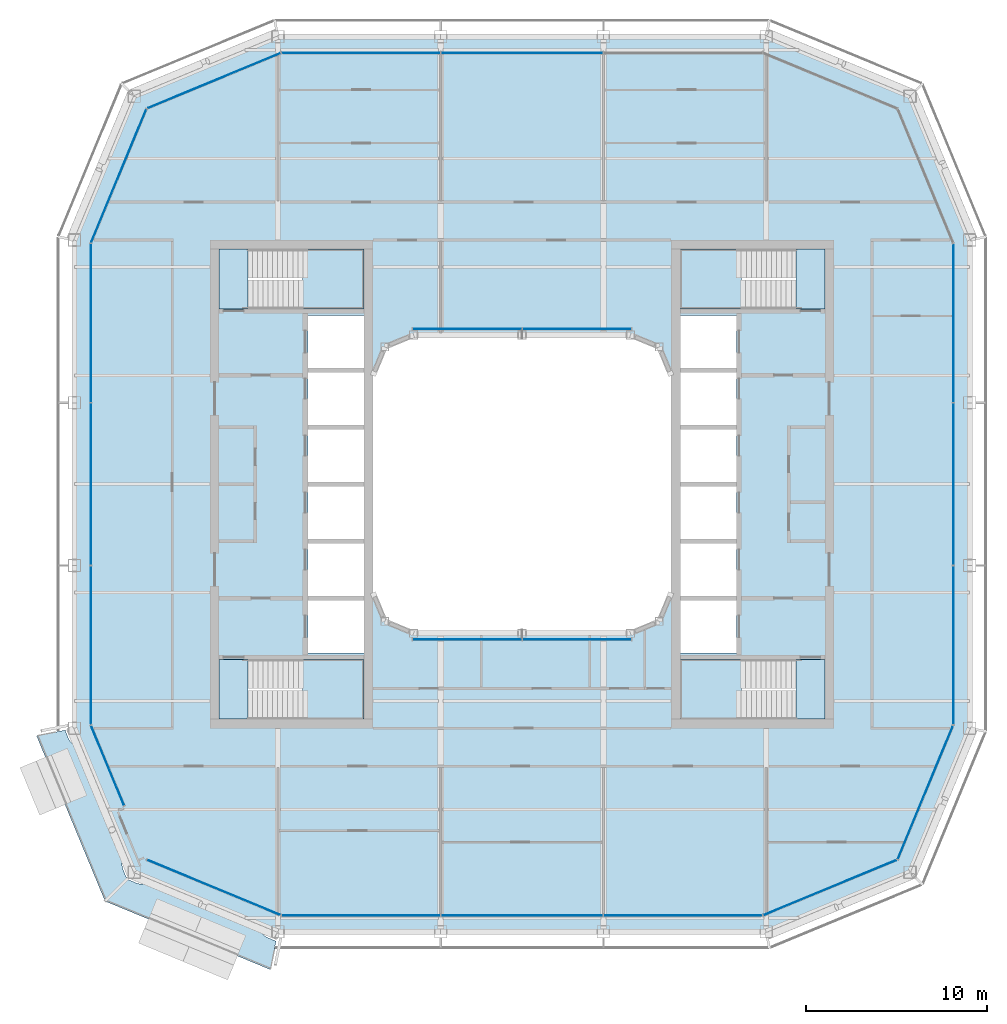
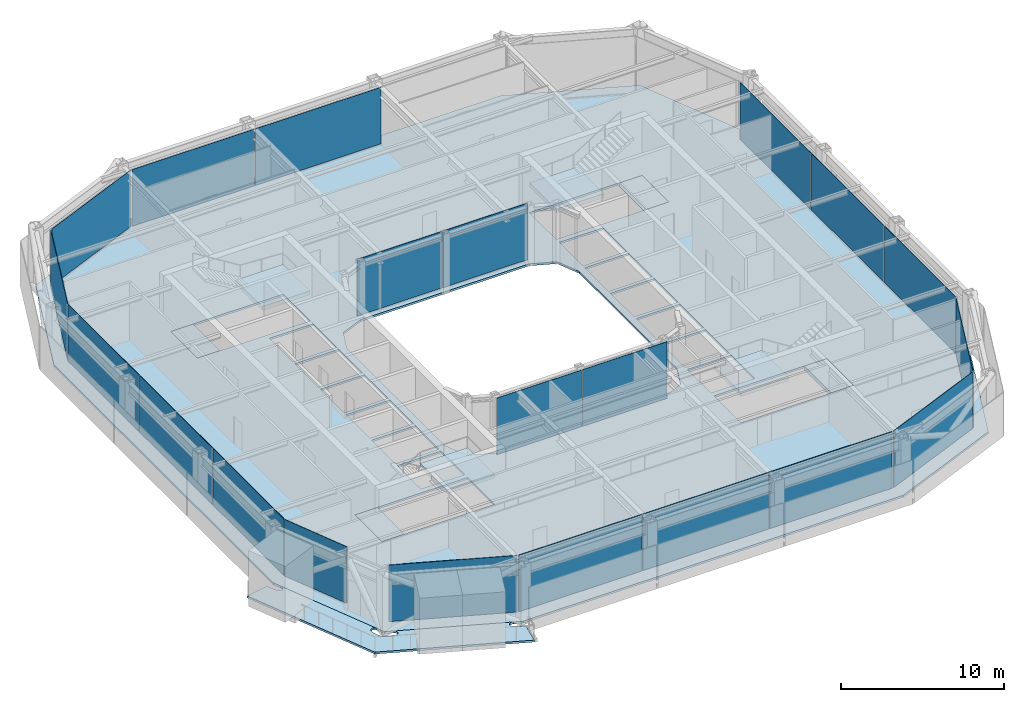
# One storey, part 10 of 21: 21 plates, 10 slabs, 16 elements without a shape of their own.
"""IFC4 building model written with IfcOpenShell, lengths in metres."""

from ifc_helpers import new_model, si_unit, direction, frame, origin, origin_2d, place, context, subcontext, project, spatial, polyline, rectangle, outline, extrude, material, layer, layer_set, type_object, element, aggregate, save


model = new_model("IFC4")

# Units and contexts
model_context = context("Model", 3, precision=1e-05, world=origin(), true_north=direction((0.0, 1.0)))
body_context = subcontext(model_context, "Body", "Model", "MODEL_VIEW")
ifc_project = project(units=[si_unit("LENGTHUNIT", "METRE"), si_unit("AREAUNIT", "SQUARE_METRE"), si_unit("VOLUMEUNIT", "CUBIC_METRE"), si_unit("PLANEANGLEUNIT", "RADIAN"), si_unit("MASSUNIT", "GRAM", prefix="KILO")], contexts=[model_context])

# Site, building, storey
site_placement = place(None, origin())
site = spatial("IfcSite", under=ifc_project, at=site_placement, CompositionType="ELEMENT")
building_placement = place(site_placement, origin())
building = spatial("IfcBuilding", under=site, at=building_placement, Name="Siwar Civic Tower", CompositionType="ELEMENT")
storey_placement = place(building_placement, frame((0.0, 0.0, 334.699951171875)))
storey = spatial("IfcBuildingStorey", under=building, at=storey_placement, Name="L72", CompositionType="ELEMENT", Elevation=334.699951171875)

# Stair, slabs
ifc_material_1 = material(Name="Concrete C40/50", Category="concrete")
stair_type = type_object("IfcStairType", Name="CORE-STAIR", PredefinedType="TWO_STRAIGHT_RUN_STAIR", material=ifc_material_1)
stair_1_placement = place(storey_placement, origin())
stair_1 = element("IfcStair", 1, at=stair_1_placement, inside=storey, type_object=stair_type, Name="Exit stair ST1", PredefinedType="TWO_STRAIGHT_RUN_STAIR")
ifc_material_2 = material(Name="Concrete C40/50", Category="concrete")
ifc_layer_1 = layer(ifc_material_2, 0.300048828125)
ifc_layer_set_1 = layer_set([ifc_layer_1], Name="Concrete C40/50")
slab_type_1 = type_object("IfcSlabType", Name="CORE-STAIR-LANDING", PredefinedType="LANDING", material=ifc_layer_set_1)
slab_1_placement = place(storey_placement, frame((0.0, 0.0, -0.300048828125)))
slab_1 = element("IfcSlab", 2, at=slab_1_placement, type_object=slab_type_1, Name="ST1 landing 1", PredefinedType="LANDING", context=body_context, shape_type="SweptSolid", body=[
    extrude(outline(polyline([(-15.14990234375, 13.0), (-16.75, 13.0), (-16.75, 9.699951171875), (-15.14990234375, 9.699951171875), (-15.14990234375, 13.0)])), origin(), (0.0, 0.0, 1.0), 0.300048828125),
])
slab_2_placement = place(storey_placement, frame((0.0, 0.0, 1.949951171875)))
slab_2 = element("IfcSlab", 3, at=slab_2_placement, type_object=slab_type_1, Name="ST1 landing 2", PredefinedType="LANDING", context=body_context, shape_type="SweptSolid", body=[
    extrude(outline(polyline([(-8.75, 13.0), (-12.139892578125, 13.0), (-12.139892578125, 9.699951171875), (-8.75, 9.699951171875), (-8.75, 13.0)])), origin(), (0.0, 0.0, 1.0), 0.300048828125),
])
aggregate(stair_1, [slab_1, slab_2])

stair_2_placement = place(storey_placement, origin())
stair_2 = element("IfcStair", 4, at=stair_2_placement, inside=storey, type_object=stair_type, Name="Exit stair ST2", PredefinedType="TWO_STRAIGHT_RUN_STAIR")
slab_3_placement = place(storey_placement, frame((0.0, 0.0, -0.300048828125)))
slab_3 = element("IfcSlab", 5, at=slab_3_placement, type_object=slab_type_1, Name="ST2 landing 1", PredefinedType="LANDING", context=body_context, shape_type="SweptSolid", body=[
    extrude(outline(polyline([(-15.14990234375, -9.699951171875), (-16.75, -9.699951171875), (-16.75, -13.0), (-15.14990234375, -13.0), (-15.14990234375, -9.699951171875)])), origin(), (0.0, 0.0, 1.0), 0.300048828125),
])
slab_4_placement = place(storey_placement, frame((0.0, 0.0, 1.949951171875)))
slab_4 = element("IfcSlab", 6, at=slab_4_placement, type_object=slab_type_1, Name="ST2 landing 2", PredefinedType="LANDING", context=body_context, shape_type="SweptSolid", body=[
    extrude(outline(polyline([(-8.75, -9.699951171875), (-12.139892578125, -9.699951171875), (-12.139892578125, -13.0), (-8.75, -13.0), (-8.75, -9.699951171875)])), origin(), (0.0, 0.0, 1.0), 0.300048828125),
])
aggregate(stair_2, [slab_3, slab_4])

stair_3_placement = place(storey_placement, origin())
stair_3 = element("IfcStair", 7, at=stair_3_placement, inside=storey, type_object=stair_type, Name="Exit stair ST3", PredefinedType="TWO_STRAIGHT_RUN_STAIR")
slab_5_placement = place(storey_placement, frame((0.0, 0.0, -0.300048828125)))
slab_5 = element("IfcSlab", 8, at=slab_5_placement, type_object=slab_type_1, Name="ST3 landing 1", PredefinedType="LANDING", context=body_context, shape_type="SweptSolid", body=[
    extrude(outline(polyline([(15.14990234375, 9.699951171875), (16.75, 9.699951171875), (16.75, 13.0), (15.14990234375, 13.0), (15.14990234375, 9.699951171875)])), origin(), (0.0, 0.0, 1.0), 0.300048828125),
])
slab_6_placement = place(storey_placement, frame((0.0, 0.0, 1.949951171875)))
slab_6 = element("IfcSlab", 9, at=slab_6_placement, type_object=slab_type_1, Name="ST3 landing 2", PredefinedType="LANDING", context=body_context, shape_type="SweptSolid", body=[
    extrude(outline(polyline([(8.75, 9.699951171875), (12.139892578125, 9.699951171875), (12.139892578125, 13.0), (8.75, 13.0), (8.75, 9.699951171875)])), origin(), (0.0, 0.0, 1.0), 0.300048828125),
])
aggregate(stair_3, [slab_5, slab_6])

stair_4_placement = place(storey_placement, origin())
stair_4 = element("IfcStair", 10, at=stair_4_placement, inside=storey, type_object=stair_type, Name="Exit stair ST4", PredefinedType="TWO_STRAIGHT_RUN_STAIR")
slab_7_placement = place(storey_placement, frame((0.0, 0.0, -0.300048828125)))
slab_7 = element("IfcSlab", 11, at=slab_7_placement, type_object=slab_type_1, Name="ST4 landing 1", PredefinedType="LANDING", context=body_context, shape_type="SweptSolid", body=[
    extrude(outline(polyline([(15.14990234375, -13.0), (16.75, -13.0), (16.75, -9.699951171875), (15.14990234375, -9.699951171875), (15.14990234375, -13.0)])), origin(), (0.0, 0.0, 1.0), 0.300048828125),
])
slab_8_placement = place(storey_placement, frame((0.0, 0.0, 1.949951171875)))
slab_8 = element("IfcSlab", 12, at=slab_8_placement, type_object=slab_type_1, Name="ST4 landing 2", PredefinedType="LANDING", context=body_context, shape_type="SweptSolid", body=[
    extrude(outline(polyline([(8.75, -13.0), (12.139892578125, -13.0), (12.139892578125, -9.699951171875), (8.75, -9.699951171875), (8.75, -13.0)])), origin(), (0.0, 0.0, 1.0), 0.300048828125),
])
aggregate(stair_4, [slab_7, slab_8])

# Slab
ifc_material_3 = material(Name="Concrete C40/50", Category="concrete")
ifc_layer_2 = layer(ifc_material_3, 0.14990234375)
ifc_layer_set_2 = layer_set([ifc_layer_2], Name="Concrete C40/50")
slab_type_2 = type_object("IfcSlabType", Name="ENV-BALCONY DECK 150", PredefinedType="FLOOR", material=ifc_layer_set_2)
slab_9_placement = place(storey_placement, frame((0.0, 0.0, -0.1494140625)))
element("IfcSlab", 13, at=slab_9_placement, inside=storey, type_object=slab_type_2, Name="Tree balcony deck SW", PredefinedType="FLOOR", context=body_context, shape_type="SweptSolid", body=[
    extrude(outline(polyline([(-21.76416015625, -21.873779296875), (-21.76953125, -21.86962890625), (-21.7744140625, -21.864990234375), (-21.783447265625, -21.855712890625), (-21.7880859375, -21.850341796875), (-21.78857421875, -21.849609375), (-21.7890625, -21.84912109375), (-21.7890625, -21.848876953125), (-21.794189453125, -21.8466796875), (-21.800537109375, -21.84326171875), (-21.806396484375, -21.839111328125), (-21.8251953125, -21.82470703125), (-21.833251953125, -21.817626953125), (-21.849365234375, -21.801025390625), (-21.85302734375, -21.796875), (-21.856689453125, -21.79248046875), (-21.869873046875, -21.77392578125), (-21.873046875, -21.76904296875), (-21.875732421875, -21.76416015625), (-21.88623046875, -21.743896484375), (-21.888671875, -21.738525390625), (-21.888671875, -21.738525390625), (-21.8955078125, -21.72216796875), (-21.949951171875, -21.5908203125), (-22.014892578125, -21.43505859375), (-22.035400390625, -21.3857421875), (-22.042236328125, -21.369384765625), (-22.04296875, -21.367431640625), (-22.06640625, -21.306396484375), (-22.068115234375, -21.3017578125), (-22.0849609375, -21.247802734375), (-22.086181640625, -21.243408203125), (-22.099853515625, -21.1884765625), (-22.101318359375, -21.181396484375), (-22.108154296875, -21.134033203125), (-22.1083984375, -21.1328125), (-22.11572265625, -21.07666015625), (-22.1162109375, -21.070068359375), (-22.1162109375, -21.0634765625), (-22.112060546875, -20.975830078125), (-22.11083984375, -20.965087890625), (-22.103271484375, -20.92578125), (-22.101318359375, -20.91796875), (-22.0986328125, -20.910400390625), (-22.08544921875, -20.8798828125), (-22.08349609375, -20.875732421875), (-22.068603515625, -20.84619140625), (-22.06494140625, -20.839599609375), (-22.060546875, -20.833251953125), (-22.055419921875, -20.82763671875), (-22.03564453125, -20.80712890625), (-22.030517578125, -20.802490234375), (-22.02490234375, -20.798095703125), (-22.01904296875, -20.794189453125), (-22.0126953125, -20.791015625), (-21.988525390625, -20.780029296875), (-21.984375, -20.7783203125), (-21.959716796875, -20.76904296875), (-21.952880859375, -20.7666015625), (-21.946044921875, -20.76513671875), (-21.93896484375, -20.76416015625), (-21.931884765625, -20.763916015625), (-21.903564453125, -20.764404296875), (-21.89599609375, -20.764892578125), (-21.888427734375, -20.76611328125), (-21.881103515625, -20.76806640625), (-21.849609375, -20.778564453125), (-21.845458984375, -20.780029296875), (-21.814453125, -20.792236328125), (-21.80712890625, -20.795654296875), (-21.800048828125, -20.7998046875), (-21.766845703125, -20.822021484375), (-21.758544921875, -20.82861328125), (-21.693359375, -20.887451171875), (-21.688720703125, -20.89208984375), (-21.6875, -20.8935546875), (-24.516357421875, -14.063720703125), (-24.51123046875, -14.103759765625), (-24.5107421875, -14.1103515625), (-24.5107421875, -14.116943359375), (-24.514892578125, -14.20458984375), (-24.51611328125, -14.21533203125), (-24.523681640625, -14.254638671875), (-24.525634765625, -14.262451171875), (-24.5283203125, -14.27001953125), (-24.54150390625, -14.300537109375), (-24.54345703125, -14.3046875), (-24.558349609375, -14.33447265625), (-24.56201171875, -14.341064453125), (-24.56640625, -14.34716796875), (-24.571533203125, -14.352783203125), (-24.591064453125, -14.373291015625), (-24.596435546875, -14.378173828125), (-24.601806640625, -14.382568359375), (-24.60791015625, -14.38623046875), (-24.6142578125, -14.389404296875), (-24.638427734375, -14.400390625), (-24.642578125, -14.402099609375), (-24.667236328125, -14.41162109375), (-24.674072265625, -14.413818359375), (-24.680908203125, -14.415283203125), (-24.68798828125, -14.416259765625), (-24.695068359375, -14.41650390625), (-24.723388671875, -14.416015625), (-24.73095703125, -14.41552734375), (-24.738525390625, -14.414306640625), (-24.745849609375, -14.412353515625), (-24.77734375, -14.402099609375), (-24.781494140625, -14.400634765625), (-24.8125, -14.388427734375), (-24.81982421875, -14.385009765625), (-24.82666015625, -14.380859375), (-24.860107421875, -14.3583984375), (-24.868408203125, -14.351806640625), (-24.93359375, -14.29296875), (-24.938232421875, -14.288330078125), (-24.942626953125, -14.283203125), (-24.977294921875, -14.238525390625), (-24.97802734375, -14.237548828125), (-25.006591796875, -14.19921875), (-25.0107421875, -14.193115234375), (-25.0400390625, -14.144775390625), (-25.042236328125, -14.140869140625), (-25.068603515625, -14.0908203125), (-25.07080078125, -14.08642578125), (-25.09765625, -14.02685546875), (-25.098388671875, -14.02490234375), (-25.101806640625, -14.0166015625), (-25.118896484375, -13.9755859375), (-25.194091796875, -13.795166015625), (-25.22802734375, -13.713134765625), (-25.24169921875, -13.68017578125), (-25.251953125, -13.65576171875), (-25.251953125, -13.65576171875), (-25.251953125, -13.65576171875), (-25.251953125, -13.65576171875), (-25.251953125, -13.65576171875), (-25.2548828125, -13.64794921875), (-25.25927734375, -13.632568359375), (-25.260986328125, -13.625), (-25.26220703125, -13.616943359375), (-25.26318359375, -13.60205078125), (-26.85009765625, -13.917724609375), (-23.062255859375, -23.062255859375), (-13.917724609375, -26.85009765625), (-13.6015625, -25.2607421875), (-13.61376953125, -25.2607421875), (-13.620361328125, -25.2607421875), (-13.627197265625, -25.259765625), (-13.6337890625, -25.258544921875), (-13.6455078125, -25.25537109375), (-13.65576171875, -25.251953125), (-13.68017578125, -25.24169921875), (-13.713134765625, -25.22802734375), (-13.795166015625, -25.194091796875), (-13.9755859375, -25.118896484375), (-14.0166015625, -25.101806640625), (-14.02490234375, -25.098388671875), (-14.02685546875, -25.09765625), (-14.08642578125, -25.07080078125), (-14.0908203125, -25.068603515625), (-14.140869140625, -25.042236328125), (-14.144775390625, -25.0400390625), (-14.193115234375, -25.0107421875), (-14.19921875, -25.006591796875), (-14.237548828125, -24.97802734375), (-14.238525390625, -24.977294921875), (-14.283203125, -24.942626953125), (-14.288330078125, -24.938232421875), (-14.29296875, -24.93359375), (-14.351806640625, -24.868408203125), (-14.3583984375, -24.860107421875), (-14.380859375, -24.82666015625), (-14.385009765625, -24.81982421875), (-14.388427734375, -24.8125), (-14.400634765625, -24.781494140625), (-14.402099609375, -24.77734375), (-14.412353515625, -24.745849609375), (-14.414306640625, -24.738525390625), (-14.41552734375, -24.73095703125), (-14.416015625, -24.723388671875), (-14.41650390625, -24.695068359375), (-14.416259765625, -24.68798828125), (-14.415283203125, -24.680908203125), (-14.413818359375, -24.674072265625), (-14.41162109375, -24.667236328125), (-14.402099609375, -24.642578125), (-14.400390625, -24.638427734375), (-14.389404296875, -24.6142578125), (-14.38623046875, -24.60791015625), (-14.382568359375, -24.601806640625), (-14.378173828125, -24.596435546875), (-14.373291015625, -24.591064453125), (-14.352783203125, -24.571533203125), (-14.34716796875, -24.56640625), (-14.341064453125, -24.56201171875), (-14.33447265625, -24.558349609375), (-14.3046875, -24.54345703125), (-14.300537109375, -24.54150390625), (-14.27001953125, -24.5283203125), (-14.262451171875, -24.525634765625), (-14.254638671875, -24.523681640625), (-14.21533203125, -24.51611328125), (-14.20458984375, -24.514892578125), (-14.116943359375, -24.5107421875), (-14.1103515625, -24.5107421875), (-14.103759765625, -24.51123046875), (-14.063720703125, -24.516357421875), (-20.8935546875, -21.6875), (-20.89208984375, -21.688720703125), (-20.887451171875, -21.693359375), (-20.82861328125, -21.758544921875), (-20.822021484375, -21.766845703125), (-20.7998046875, -21.800048828125), (-20.795654296875, -21.80712890625), (-20.792236328125, -21.814453125), (-20.780029296875, -21.845458984375), (-20.778564453125, -21.849609375), (-20.76806640625, -21.881103515625), (-20.76611328125, -21.888427734375), (-20.764892578125, -21.89599609375), (-20.764404296875, -21.903564453125), (-20.763916015625, -21.931884765625), (-20.76416015625, -21.93896484375), (-20.76513671875, -21.946044921875), (-20.7666015625, -21.952880859375), (-20.76904296875, -21.959716796875), (-20.7783203125, -21.984375), (-20.780029296875, -21.988525390625), (-20.791015625, -22.0126953125), (-20.794189453125, -22.01904296875), (-20.798095703125, -22.02490234375), (-20.802490234375, -22.030517578125), (-20.80712890625, -22.03564453125), (-20.82763671875, -22.055419921875), (-20.833251953125, -22.060546875), (-20.839599609375, -22.06494140625), (-20.84619140625, -22.068603515625), (-20.875732421875, -22.08349609375), (-20.8798828125, -22.08544921875), (-20.910400390625, -22.0986328125), (-20.91796875, -22.101318359375), (-20.92578125, -22.103271484375), (-20.965087890625, -22.11083984375), (-20.975830078125, -22.112060546875), (-21.0634765625, -22.1162109375), (-21.070068359375, -22.1162109375), (-21.07666015625, -22.11572265625), (-21.1328125, -22.1083984375), (-21.134033203125, -22.108154296875), (-21.181396484375, -22.101318359375), (-21.1884765625, -22.099853515625), (-21.243408203125, -22.086181640625), (-21.247802734375, -22.0849609375), (-21.3017578125, -22.068115234375), (-21.306396484375, -22.06640625), (-21.367431640625, -22.04296875), (-21.369384765625, -22.042236328125), (-21.3857421875, -22.035400390625), (-21.43505859375, -22.014892578125), (-21.5908203125, -21.949951171875), (-21.656494140625, -21.922607421875), (-21.72216796875, -21.8955078125), (-21.738525390625, -21.888671875), (-21.748046875, -21.8837890625), (-21.7587890625, -21.87744140625), (-21.76416015625, -21.873779296875)])), origin(), (0.0, 0.0, 1.0), 0.1494140625),
])

# Curtain wall, plates
ifc_material_4 = material(Name="Aluminium and glass", Category="aluminium")
ifc_layer_3 = layer(ifc_material_4, 0.159912109375)
ifc_layer_set_3 = layer_set([ifc_layer_3], Name="Aluminium and glass")
curtain_wall_type_1 = type_object("IfcCurtainWallType", Name="ENV-CW-D", PredefinedType="NOTDEFINED", material=ifc_layer_set_3)
curtain_wall_1_placement = place(storey_placement, origin())
curtain_wall_1 = element("IfcCurtainWall", 14, at=curtain_wall_1_placement, inside=storey, type_object=curtain_wall_type_1, Name="Curtain wall D S", PredefinedType="NOTDEFINED")
ifc_material_5 = material(Name="Glass clear laminated", Category="glass")
ifc_layer_4 = layer(ifc_material_5, 0.030029296875)
ifc_layer_set_4 = layer_set([ifc_layer_4], Name="Glass clear laminated")
plate_type_1 = type_object("IfcPlateType", Name="ENV-PANEL-D", PredefinedType="CURTAIN_PANEL", material=ifc_layer_set_4)
plate_1_placement = place(storey_placement, frame((-8.910400390625, -23.85009765625, 0.10009765625), z_axis=(0.0, 0.0, 1.0), x_axis=(1.0, 0.0, 0.0)))
plate_1 = element("IfcPlate", 15, at=plate_1_placement, type_object=plate_type_1, Name="Curtain panel D S 1", PredefinedType="CURTAIN_PANEL", context=body_context, shape_type="SweptSolid", body=[
    extrude(rectangle(XDim=8.760986328125, YDim=0.030029296875, at=origin_2d()), origin(), (0.0, 0.0, 1.0), 4.25),
])
plate_2_placement = place(storey_placement, frame((0.0, -23.85009765625, 0.10009765625), z_axis=(0.0, 0.0, 1.0), x_axis=(1.0, 0.0, 0.0)))
plate_2 = element("IfcPlate", 16, at=plate_2_placement, type_object=plate_type_1, Name="Curtain panel D S 2", PredefinedType="CURTAIN_PANEL", context=body_context, shape_type="SweptSolid", body=[
    extrude(rectangle(XDim=8.93994140625, YDim=0.030029296875, at=origin_2d()), origin(), (0.0, 0.0, 1.0), 4.25),
])
plate_3_placement = place(storey_placement, frame((8.876708984375, -23.85009765625, 0.10009765625), z_axis=(0.0, 0.0, 1.0), x_axis=(1.0, 0.0, 0.0)))
plate_3 = element("IfcPlate", 17, at=plate_3_placement, type_object=plate_type_1, Name="Curtain panel D S 3", PredefinedType="CURTAIN_PANEL", context=body_context, shape_type="SweptSolid", body=[
    extrude(rectangle(XDim=8.693115234375, YDim=0.030029296875, at=origin_2d()), origin(), (0.0, 0.0, 1.0), 4.25),
])
aggregate(curtain_wall_1, [plate_1, plate_2, plate_3])

curtain_wall_2_placement = place(storey_placement, origin())
curtain_wall_2 = element("IfcCurtainWall", 18, at=curtain_wall_2_placement, inside=storey, type_object=curtain_wall_type_1, Name="Curtain wall D E", PredefinedType="NOTDEFINED")
plate_4_placement = place(storey_placement, frame((23.85009765625, -8.910400390625, 0.10009765625), z_axis=(0.0, 0.0, 1.0), x_axis=(0.0, 1.0, 0.0)))
plate_4 = element("IfcPlate", 19, at=plate_4_placement, type_object=plate_type_1, Name="Curtain panel D E 1", PredefinedType="CURTAIN_PANEL", context=body_context, shape_type="SweptSolid", body=[
    extrude(rectangle(XDim=8.760986328125, YDim=0.030029296875, at=origin_2d()), origin(), (0.0, 0.0, 1.0), 4.25),
])
plate_5_placement = place(storey_placement, frame((23.85009765625, 0.0, 0.10009765625), z_axis=(0.0, 0.0, 1.0), x_axis=(0.0, 1.0, 0.0)))
plate_5 = element("IfcPlate", 20, at=plate_5_placement, type_object=plate_type_1, Name="Curtain panel D E 2", PredefinedType="CURTAIN_PANEL", context=body_context, shape_type="SweptSolid", body=[
    extrude(rectangle(XDim=8.93994140625, YDim=0.030029296875, at=origin_2d()), origin(), (0.0, 0.0, 1.0), 4.25),
])
plate_6_placement = place(storey_placement, frame((23.85009765625, 8.876708984375, 0.10009765625), z_axis=(0.0, 0.0, 1.0), x_axis=(0.0, 1.0, 0.0)))
plate_6 = element("IfcPlate", 21, at=plate_6_placement, type_object=plate_type_1, Name="Curtain panel D E 3", PredefinedType="CURTAIN_PANEL", context=body_context, shape_type="SweptSolid", body=[
    extrude(rectangle(XDim=8.693115234375, YDim=0.030029296875, at=origin_2d()), origin(), (0.0, 0.0, 1.0), 4.25),
])
aggregate(curtain_wall_2, [plate_4, plate_5, plate_6])

curtain_wall_3_placement = place(storey_placement, origin())
curtain_wall_3 = element("IfcCurtainWall", 22, at=curtain_wall_3_placement, inside=storey, type_object=curtain_wall_type_1, Name="Curtain wall D N", PredefinedType="NOTDEFINED")
plate_7_placement = place(storey_placement, frame((0.0, 23.85009765625, 0.10009765625), z_axis=(0.0, 0.0, 1.0), x_axis=(-1.0, 0.0, 0.0)))
plate_7 = element("IfcPlate", 23, at=plate_7_placement, type_object=plate_type_1, Name="Curtain panel D N 2", PredefinedType="CURTAIN_PANEL", context=body_context, shape_type="SweptSolid", body=[
    extrude(rectangle(XDim=8.93994140625, YDim=0.030029296875, at=origin_2d()), origin(), (0.0, 0.0, 1.0), 4.25),
])
plate_8_placement = place(storey_placement, frame((-8.876708984375, 23.85009765625, 0.10009765625), z_axis=(0.0, 0.0, 1.0), x_axis=(-1.0, 0.0, 0.0)))
plate_8 = element("IfcPlate", 24, at=plate_8_placement, type_object=plate_type_1, Name="Curtain panel D N 3", PredefinedType="CURTAIN_PANEL", context=body_context, shape_type="SweptSolid", body=[
    extrude(rectangle(XDim=8.693115234375, YDim=0.030029296875, at=origin_2d()), origin(), (0.0, 0.0, 1.0), 4.25),
])
aggregate(curtain_wall_3, [plate_7, plate_8])

curtain_wall_4_placement = place(storey_placement, origin())
curtain_wall_4 = element("IfcCurtainWall", 25, at=curtain_wall_4_placement, inside=storey, type_object=curtain_wall_type_1, Name="Curtain wall D W", PredefinedType="NOTDEFINED")
plate_9_placement = place(storey_placement, frame((-23.85009765625, 8.910400390625, 0.10009765625), z_axis=(0.0, 0.0, 1.0), x_axis=(0.0, -1.0, 0.0)))
plate_9 = element("IfcPlate", 26, at=plate_9_placement, type_object=plate_type_1, Name="Curtain panel D W 1", PredefinedType="CURTAIN_PANEL", context=body_context, shape_type="SweptSolid", body=[
    extrude(rectangle(XDim=8.760986328125, YDim=0.030029296875, at=origin_2d()), origin(), (0.0, 0.0, 1.0), 4.25),
])
plate_10_placement = place(storey_placement, frame((-23.85009765625, 0.0, 0.10009765625), z_axis=(0.0, 0.0, 1.0), x_axis=(0.0, -1.0, 0.0)))
plate_10 = element("IfcPlate", 27, at=plate_10_placement, type_object=plate_type_1, Name="Curtain panel D W 2", PredefinedType="CURTAIN_PANEL", context=body_context, shape_type="SweptSolid", body=[
    extrude(rectangle(XDim=8.93994140625, YDim=0.030029296875, at=origin_2d()), origin(), (0.0, 0.0, 1.0), 4.25),
])
plate_11_placement = place(storey_placement, frame((-23.85009765625, -8.876708984375, 0.10009765625), z_axis=(0.0, 0.0, 1.0), x_axis=(0.0, -1.0, 0.0)))
plate_11 = element("IfcPlate", 28, at=plate_11_placement, type_object=plate_type_1, Name="Curtain panel D W 3", PredefinedType="CURTAIN_PANEL", context=body_context, shape_type="SweptSolid", body=[
    extrude(rectangle(XDim=8.693115234375, YDim=0.030029296875, at=origin_2d()), origin(), (0.0, 0.0, 1.0), 4.25),
])
aggregate(curtain_wall_4, [plate_9, plate_10, plate_11])

# Curtain wall, plate
ifc_material_6 = material(Name="Aluminium clad insulated panel", Category="aluminium")
ifc_layer_5 = layer(ifc_material_6, 0.159912109375)
ifc_layer_set_5 = layer_set([ifc_layer_5], Name="Aluminium clad insulated panel")
curtain_wall_type_2 = type_object("IfcCurtainWallType", Name="ENV-CW-DX", PredefinedType="NOTDEFINED", material=ifc_layer_set_5)
curtain_wall_5_placement = place(storey_placement, origin())
curtain_wall_5 = element("IfcCurtainWall", 29, at=curtain_wall_5_placement, inside=storey, type_object=curtain_wall_type_2, Name="Curtain wall D SE1", PredefinedType="NOTDEFINED")
ifc_material_7 = material(Name="Aluminium clad insulated panel", Category="aluminium")
ifc_layer_6 = layer(ifc_material_7, 0.030029296875)
ifc_layer_set_6 = layer_set([ifc_layer_6], Name="Aluminium clad insulated panel")
plate_type_2 = type_object("IfcPlateType", Name="ENV-PANEL-DX", PredefinedType="CURTAIN_PANEL", material=ifc_layer_set_6)
plate_12_placement = place(storey_placement, frame((17.01220703125, -22.321044921875, 0.10009765625), z_axis=(0.0, 0.0, 1.0), x_axis=(0.923879532511, 0.382683432365, 0.0)))
plate_12 = element("IfcPlate", 30, at=plate_12_placement, type_object=plate_type_2, Name="Curtain panel D SE1 1", PredefinedType="CURTAIN_PANEL", context=body_context, shape_type="SweptSolid", body=[
    extrude(rectangle(XDim=7.9306640625, YDim=0.030029296875, at=origin_2d()), origin(), (0.0, 0.0, 1.0), 4.25),
])
aggregate(curtain_wall_5, [plate_12])

curtain_wall_6_placement = place(storey_placement, origin())
curtain_wall_6 = element("IfcCurtainWall", 31, at=curtain_wall_6_placement, inside=storey, type_object=curtain_wall_type_2, Name="Curtain wall D SE2", PredefinedType="NOTDEFINED")
plate_13_placement = place(storey_placement, frame((22.295166015625, -17.074951171875, 0.10009765625), z_axis=(0.0, 0.0, 1.0), x_axis=(0.382683432365, 0.923879532511, 0.0)))
plate_13 = element("IfcPlate", 32, at=plate_13_placement, type_object=plate_type_2, Name="Curtain panel D SE2 1", PredefinedType="CURTAIN_PANEL", context=body_context, shape_type="SweptSolid", body=[
    extrude(rectangle(XDim=7.9306640625, YDim=0.030029296875, at=origin_2d()), origin(), (0.0, 0.0, 1.0), 4.25),
])
aggregate(curtain_wall_6, [plate_13])

curtain_wall_7_placement = place(storey_placement, origin())
curtain_wall_7 = element("IfcCurtainWall", 33, at=curtain_wall_7_placement, inside=storey, type_object=curtain_wall_type_2, Name="Curtain wall D NW1", PredefinedType="NOTDEFINED")
plate_14_placement = place(storey_placement, frame((-17.01220703125, 22.321044921875, 0.10009765625), z_axis=(0.0, 0.0, 1.0), x_axis=(-0.923879532511, -0.382683432365, 0.0)))
plate_14 = element("IfcPlate", 34, at=plate_14_placement, type_object=plate_type_2, Name="Curtain panel D NW1 1", PredefinedType="CURTAIN_PANEL", context=body_context, shape_type="SweptSolid", body=[
    extrude(rectangle(XDim=7.9306640625, YDim=0.030029296875, at=origin_2d()), origin(), (0.0, 0.0, 1.0), 4.25),
])
aggregate(curtain_wall_7, [plate_14])

curtain_wall_8_placement = place(storey_placement, origin())
curtain_wall_8 = element("IfcCurtainWall", 35, at=curtain_wall_8_placement, inside=storey, type_object=curtain_wall_type_2, Name="Curtain wall D NW2", PredefinedType="NOTDEFINED")
plate_15_placement = place(storey_placement, frame((-22.295166015625, 17.074951171875, 0.10009765625), z_axis=(0.0, 0.0, 1.0), x_axis=(-0.382683432365, -0.923879532511, 0.0)))
plate_15 = element("IfcPlate", 36, at=plate_15_placement, type_object=plate_type_2, Name="Curtain panel D NW2 1", PredefinedType="CURTAIN_PANEL", context=body_context, shape_type="SweptSolid", body=[
    extrude(rectangle(XDim=7.9306640625, YDim=0.030029296875, at=origin_2d()), origin(), (0.0, 0.0, 1.0), 4.25),
])
aggregate(curtain_wall_8, [plate_15])

curtain_wall_9_placement = place(storey_placement, origin())
curtain_wall_9 = element("IfcCurtainWall", 37, at=curtain_wall_9_placement, inside=storey, type_object=curtain_wall_type_2, Name="Curtain wall D SW1", PredefinedType="NOTDEFINED")
plate_16_placement = place(storey_placement, frame((-22.922607421875, -15.56005859375, 0.10009765625), z_axis=(0.0, 0.0, 1.0), x_axis=(0.382683432365, -0.923879532511, 0.0)))
plate_16 = element("IfcPlate", 38, at=plate_16_placement, type_object=plate_type_2, Name="Curtain panel D SW1 1", PredefinedType="CURTAIN_PANEL", context=body_context, shape_type="SweptSolid", body=[
    extrude(rectangle(XDim=4.787109375, YDim=0.030029296875, at=origin_2d()), origin(), (0.0, 0.0, 1.0), 4.25),
])
aggregate(curtain_wall_9, [plate_16])

curtain_wall_10_placement = place(storey_placement, origin())
curtain_wall_10 = element("IfcCurtainWall", 39, at=curtain_wall_10_placement, inside=storey, type_object=curtain_wall_type_2, Name="Curtain wall D SW2", PredefinedType="NOTDEFINED")
plate_17_placement = place(storey_placement, frame((-17.074951171875, -22.295166015625, 0.10009765625), z_axis=(0.0, 0.0, 1.0), x_axis=(0.923879532511, -0.382683432365, 0.0)))
plate_17 = element("IfcPlate", 40, at=plate_17_placement, type_object=plate_type_2, Name="Curtain panel D SW2 1", PredefinedType="CURTAIN_PANEL", context=body_context, shape_type="SweptSolid", body=[
    extrude(rectangle(XDim=7.9306640625, YDim=0.030029296875, at=origin_2d()), origin(), (0.0, 0.0, 1.0), 4.25),
])
aggregate(curtain_wall_10, [plate_17])

# Curtain wall, plates
ifc_material_8 = material(Name="Aluminium and glass", Category="aluminium")
ifc_layer_7 = layer(ifc_material_8, 0.179931640625)
ifc_layer_set_7 = layer_set([ifc_layer_7], Name="Aluminium and glass")
curtain_wall_type_3 = type_object("IfcCurtainWallType", Name="ENV-CW-W", PredefinedType="NOTDEFINED", material=ifc_layer_set_7)
curtain_wall_11_placement = place(storey_placement, origin())
curtain_wall_11 = element("IfcCurtainWall", 41, at=curtain_wall_11_placement, inside=storey, type_object=curtain_wall_type_3, Name="Curtain wall W WS", PredefinedType="NOTDEFINED")
ifc_material_9 = material(Name="Glass clear laminated", Category="glass")
ifc_layer_8 = layer(ifc_material_9, 0.031982421875)
ifc_layer_set_8 = layer_set([ifc_layer_8], Name="Glass clear laminated")
plate_type_3 = type_object("IfcPlateType", Name="ENV-PANEL-W", PredefinedType="CURTAIN_PANEL", material=ifc_layer_set_8)
plate_18_placement = place(storey_placement, frame((-3.033203125, -8.5849609375, 0.10009765625), z_axis=(0.0, 0.0, 1.0), x_axis=(1.0, 0.0, 0.0)))
plate_18 = element("IfcPlate", 42, at=plate_18_placement, type_object=plate_type_3, Name="Curtain panel W WS 1", PredefinedType="CURTAIN_PANEL", context=body_context, shape_type="SweptSolid", body=[
    extrude(rectangle(XDim=6.006591796875, YDim=0.031982421875, at=origin_2d()), origin(), (0.0, 0.0, 1.0), 4.25),
])
plate_19_placement = place(storey_placement, frame((3.033203125, -8.5849609375, 0.10009765625), z_axis=(0.0, 0.0, 1.0), x_axis=(1.0, 0.0, 0.0)))
plate_19 = element("IfcPlate", 43, at=plate_19_placement, type_object=plate_type_3, Name="Curtain panel W WS 2", PredefinedType="CURTAIN_PANEL", context=body_context, shape_type="SweptSolid", body=[
    extrude(rectangle(XDim=6.006591796875, YDim=0.031982421875, at=origin_2d()), origin(), (0.0, 0.0, 1.0), 4.25),
])
aggregate(curtain_wall_11, [plate_18, plate_19])

curtain_wall_12_placement = place(storey_placement, origin())
curtain_wall_12 = element("IfcCurtainWall", 44, at=curtain_wall_12_placement, inside=storey, type_object=curtain_wall_type_3, Name="Curtain wall W WN", PredefinedType="NOTDEFINED")
plate_20_placement = place(storey_placement, frame((3.033203125, 8.5849609375, 0.10009765625), z_axis=(0.0, 0.0, 1.0), x_axis=(-1.0, 0.0, 0.0)))
plate_20 = element("IfcPlate", 45, at=plate_20_placement, type_object=plate_type_3, Name="Curtain panel W WN 1", PredefinedType="CURTAIN_PANEL", context=body_context, shape_type="SweptSolid", body=[
    extrude(rectangle(XDim=6.006591796875, YDim=0.031982421875, at=origin_2d()), origin(), (0.0, 0.0, 1.0), 4.25),
])
plate_21_placement = place(storey_placement, frame((-3.033203125, 8.5849609375, 0.10009765625), z_axis=(0.0, 0.0, 1.0), x_axis=(-1.0, 0.0, 0.0)))
plate_21 = element("IfcPlate", 46, at=plate_21_placement, type_object=plate_type_3, Name="Curtain panel W WN 2", PredefinedType="CURTAIN_PANEL", context=body_context, shape_type="SweptSolid", body=[
    extrude(rectangle(XDim=6.006591796875, YDim=0.031982421875, at=origin_2d()), origin(), (0.0, 0.0, 1.0), 4.25),
])
aggregate(curtain_wall_12, [plate_20, plate_21])

# Slab
ifc_material_10 = material(Name="Concrete C40/50", Category="concrete")
ifc_layer_9 = layer(ifc_material_10, 0.14990234375)
ifc_layer_set_9 = layer_set([ifc_layer_9], Name="Concrete C40/50")
slab_type_3 = type_object("IfcSlabType", Name="STR-FLOOR-DECK-150", PredefinedType="FLOOR", material=ifc_layer_set_9)
slab_10_placement = place(storey_placement, frame((0.0, 0.0, -0.14990234375)))
element("IfcSlab", 47, at=slab_10_placement, inside=storey, type_object=slab_type_3, Name="L72/slab/1", PredefinedType="FLOOR", context=body_context, shape_type="SweptSolid", body=[
    extrude(outline(polyline([(-13.5, -24.75), (13.5, -24.75), (21.454833984375, -21.454833984375), (24.75, -13.5), (24.75, 13.5), (21.454833984375, 21.454833984375), (13.5, 24.75), (-13.5, 24.75), (-21.454833984375, 21.454833984375), (-24.75, 13.5), (-24.75, -13.5), (-21.454833984375, -21.454833984375), (-13.5, -24.75)]), holes=[polyline([(16.75, 13.0), (16.75, 9.699951171875), (8.75, 9.699951171875), (8.75, 13.0), (16.75, 13.0)]), polyline([(8.75, -9.699951171875), (16.75, -9.699951171875), (16.75, -13.0), (8.75, -13.0), (8.75, -9.699951171875)]), polyline([(11.85009765625, 9.324951171875), (11.85009765625, 6.425048828125), (8.75, 6.425048828125), (8.75, 9.324951171875), (11.85009765625, 9.324951171875)]), polyline([(8.75, 6.175048828125), (11.85009765625, 6.175048828125), (11.85009765625, 3.27490234375), (8.75, 3.27490234375), (8.75, 6.175048828125)]), polyline([(8.75, 3.02490234375), (11.85009765625, 3.02490234375), (11.85009765625, 0.125), (8.75, 0.125), (8.75, 3.02490234375)]), polyline([(8.75, -0.125), (11.85009765625, -0.125), (11.85009765625, -3.02490234375), (8.75, -3.02490234375), (8.75, -0.125)]), polyline([(8.75, -3.27490234375), (11.85009765625, -3.27490234375), (11.85009765625, -6.175048828125), (8.75, -6.175048828125), (8.75, -3.27490234375)]), polyline([(8.75, -6.425048828125), (11.85009765625, -6.425048828125), (11.85009765625, -9.324951171875), (8.75, -9.324951171875), (8.75, -6.425048828125)]), polyline([(-6.0, 8.25), (6.0, 8.25), (7.591064453125, 7.591064453125), (8.25, 6.0), (8.25, -6.0), (7.591064453125, -7.591064453125), (6.0, -8.25), (-6.0, -8.25), (-7.591064453125, -7.591064453125), (-8.25, -6.0), (-8.25, 6.0), (-7.591064453125, 7.591064453125), (-6.0, 8.25)]), polyline([(-8.75, -13.0), (-16.75, -13.0), (-16.75, -9.699951171875), (-8.75, -9.699951171875), (-8.75, -13.0)]), polyline([(-8.75, 9.699951171875), (-16.75, 9.699951171875), (-16.75, 13.0), (-8.75, 13.0), (-8.75, 9.699951171875)]), polyline([(-8.75, 6.425048828125), (-11.85009765625, 6.425048828125), (-11.85009765625, 9.324951171875), (-8.75, 9.324951171875), (-8.75, 6.425048828125)]), polyline([(-8.75, 3.27490234375), (-11.85009765625, 3.27490234375), (-11.85009765625, 6.175048828125), (-8.75, 6.175048828125), (-8.75, 3.27490234375)]), polyline([(-8.75, 0.125), (-11.85009765625, 0.125), (-11.85009765625, 3.02490234375), (-8.75, 3.02490234375), (-8.75, 0.125)]), polyline([(-8.75, -3.02490234375), (-11.85009765625, -3.02490234375), (-11.85009765625, -0.125), (-8.75, -0.125), (-8.75, -3.02490234375)]), polyline([(-8.75, -6.175048828125), (-11.85009765625, -6.175048828125), (-11.85009765625, -3.27490234375), (-8.75, -3.27490234375), (-8.75, -6.175048828125)]), polyline([(-8.75, -9.324951171875), (-11.85009765625, -9.324951171875), (-11.85009765625, -6.425048828125), (-8.75, -6.425048828125), (-8.75, -9.324951171875)])]), origin(), (0.0, 0.0, 1.0), 0.14990234375),
])

save(model, "model.ifc")
